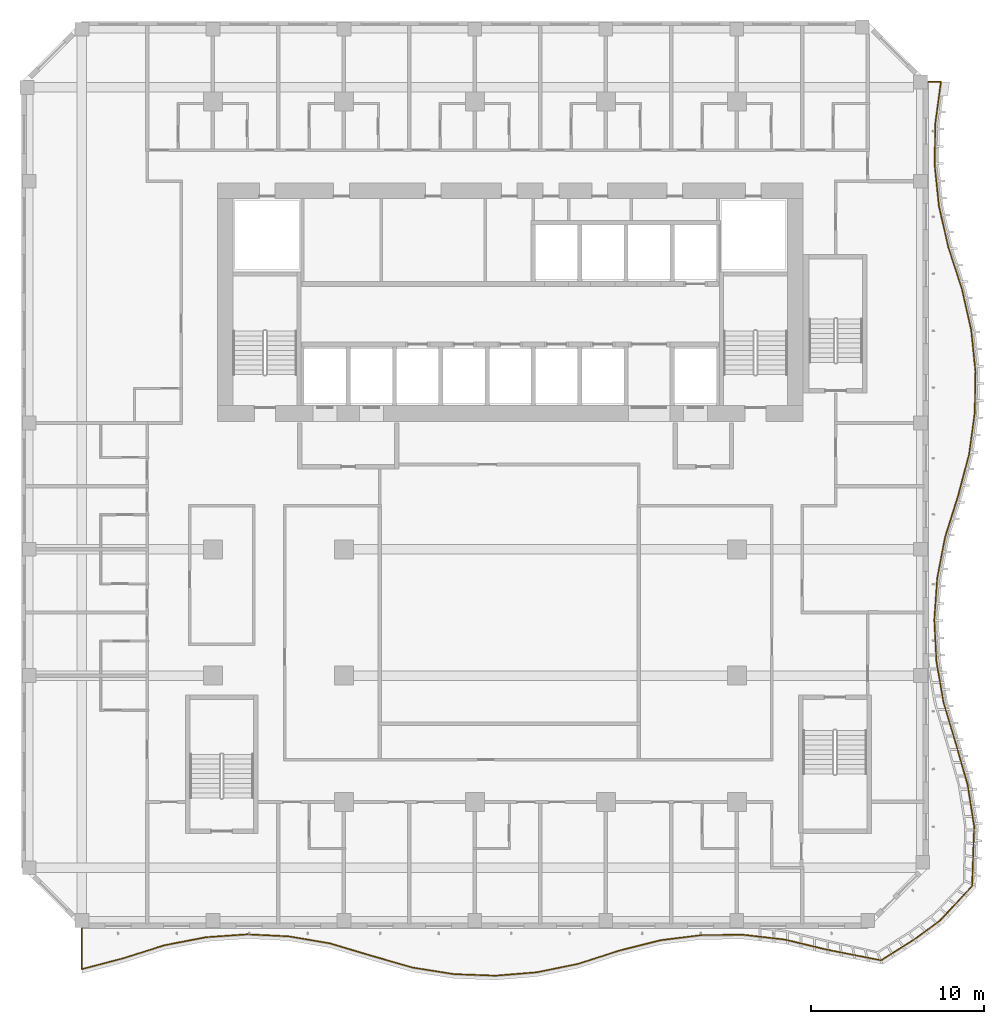
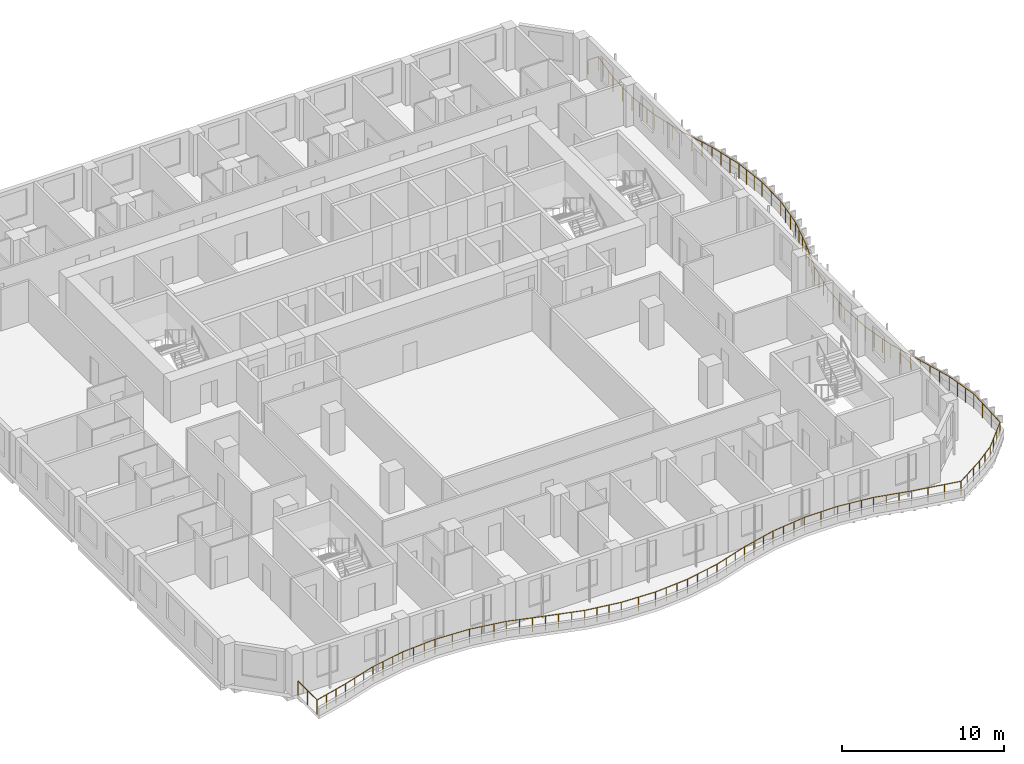
# One storey, part 17 of 23: 1 railing.
"""IFC4 building model written with IfcOpenShell, lengths in metres."""

from ifc_helpers import new_model, si_unit, direction, frame, origin, origin_2d, place, context, subcontext, project, spatial, circle, extrude, material, type_object, element, save


model = new_model("IFC4")

# Units and contexts
model_context = context("Model", 3, precision=1e-05, world=origin(), true_north=direction((0.0, 1.0)))
body_context = subcontext(model_context, "Body", "Model", "MODEL_VIEW")
ifc_project = project(units=[si_unit("LENGTHUNIT", "METRE"), si_unit("AREAUNIT", "SQUARE_METRE"), si_unit("VOLUMEUNIT", "CUBIC_METRE"), si_unit("PLANEANGLEUNIT", "RADIAN"), si_unit("MASSUNIT", "GRAM", prefix="KILO")], contexts=[model_context])

# Site, building, storey
site_placement = place(None, origin())
site = spatial("IfcSite", under=ifc_project, at=site_placement, CompositionType="ELEMENT")
building_placement = place(site_placement, origin())
building = spatial("IfcBuilding", under=site, at=building_placement, Name="Kilnfold Tower and Market Hall", CompositionType="ELEMENT")
storey_placement = place(building_placement, frame((0.0, 0.0, 150.699951171875)))
storey = spatial("IfcBuildingStorey", under=building, at=storey_placement, Name="L34", CompositionType="ELEMENT", Elevation=150.699951171875)

# Railing
ifc_material = material(Name="Stainless steel and laminated glass", Category="steel")
railing_type = type_object("IfcRailingType", Name="GUARD 1100", PredefinedType="GUARDRAIL", material=ifc_material)
railing_placement = place(storey_placement, frame((-23.75, -21.25, 0.0)))
element("IfcRailing", 1, at=railing_placement, inside=storey, type_object=railing_type, Name="Guard balcony L34", PredefinedType="GUARDRAIL", context=body_context, shape_type="SweptSolid", body=[
    extrude(circle(Radius=0.02490234375, at=origin_2d()), frame((0.0, 0.0, 1.0751953125), z_axis=(0.0, -1.0, 0.0), x_axis=(1.0, 0.0, 0.0)), (0.0, 0.0, 1.0), 2.3662109375),
    extrude(circle(Radius=0.02490234375, at=origin_2d()), frame((0.0, -2.3662109375, 1.0751953125), z_axis=(0.967203415233, 0.254003058175, 0.0), x_axis=(-0.254003058175, 0.967203415233, 0.0)), (0.0, 0.0, 1.0), 2.47607421875),
    extrude(circle(Radius=0.02490234375, at=origin_2d()), frame((2.394775390625, -1.7373046875, 1.0751953125), z_axis=(0.953459184431, 0.301522111337, 0.0), x_axis=(-0.301522111337, 0.953459184431, 0.0)), (0.0, 0.0, 1.0), 2.51171875),
    extrude(circle(Radius=0.02490234375, at=origin_2d()), frame((4.78955078125, -0.97998046875, 1.0751953125), z_axis=(0.981972153083, 0.189025634688, 0.0), x_axis=(-0.189025634688, 0.981972153083, 0.0)), (0.0, 0.0, 1.0), 2.4384765625),
    extrude(circle(Radius=0.02490234375, at=origin_2d()), frame((7.18408203125, -0.51904296875, 1.0751953125), z_axis=(0.997549252287, 0.069967773022, 0.0), x_axis=(-0.069967773022, 0.997549252287, 0.0)), (0.0, 0.0, 1.0), 2.400634765625),
    extrude(circle(Radius=0.02490234375, at=origin_2d()), frame((9.578857421875, -0.35107421875, 1.0751953125), z_axis=(0.998799869908, -0.048977748744, 0.0), x_axis=(0.048977748744, 0.998799869908, 0.0)), (0.0, 0.0, 1.0), 2.397705078125),
    extrude(circle(Radius=0.02490234375, at=origin_2d()), frame((11.9736328125, -0.468505859375, 1.0751953125), z_axis=(0.985814802092, -0.16783675395, 0.0), x_axis=(0.16783675395, 0.985814802092, 0.0)), (0.0, 0.0, 1.0), 2.42919921875),
    extrude(circle(Radius=0.02490234375, at=origin_2d()), frame((14.368408203125, -0.876220703125, 1.0751953125), z_axis=(0.958059841952, -0.286568210448, 0.0), x_axis=(0.286568210448, 0.958059841952, 0.0)), (0.0, 0.0, 1.0), 2.49951171875),
    extrude(circle(Radius=0.02490234375, at=origin_2d()), frame((16.76318359375, -1.592529296875, 1.0751953125), z_axis=(0.96143512859, -0.275031804549, 0.0), x_axis=(0.275031804549, 0.96143512859, 0.0)), (0.0, 0.0, 1.0), 2.49072265625),
    extrude(circle(Radius=0.02490234375, at=origin_2d()), frame((19.157958984375, -2.277587890625, 1.0751953125), z_axis=(0.987741725893, -0.156097030499, 0.0), x_axis=(0.156097030499, 0.987741725893, 0.0)), (0.0, 0.0, 1.0), 2.42431640625),
    extrude(circle(Radius=0.02490234375, at=origin_2d()), frame((21.552490234375, -2.656005859375, 1.0751953125), z_axis=(0.999308539954, -0.037181204596, 0.0), x_axis=(0.037181204596, 0.999308539954, 0.0)), (0.0, 0.0, 1.0), 2.396728515625),
    extrude(circle(Radius=0.02490234375, at=origin_2d()), frame((23.947509765625, -2.7451171875, 1.0751953125), z_axis=(0.996648699314, 0.08180079557, 0.0), x_axis=(-0.08180079557, 0.996648699314, 0.0)), (0.0, 0.0, 1.0), 2.402587890625),
    extrude(circle(Radius=0.02490234375, at=origin_2d()), frame((26.342041015625, -2.548583984375, 1.0751953125), z_axis=(0.979644014934, 0.200742631259, 0.0), x_axis=(-0.200742631259, 0.979644014934, 0.0)), (0.0, 0.0, 1.0), 2.444580078125),
    extrude(circle(Radius=0.02490234375, at=origin_2d()), frame((28.73681640625, -2.057861328125, 1.0751953125), z_axis=(0.951770785459, 0.306809993233, 0.0), x_axis=(-0.306809993233, 0.951770785459, 0.0)), (0.0, 0.0, 1.0), 2.51611328125),
    extrude(circle(Radius=0.02490234375, at=origin_2d()), frame((31.131591796875, -1.285888671875, 1.0751953125), z_axis=(0.970241332844, 0.242139951351, 0.0), x_axis=(-0.242139951351, 0.970241332844, 0.0)), (0.0, 0.0, 1.0), 2.46826171875),
    extrude(circle(Radius=0.02490234375, at=origin_2d()), frame((33.5263671875, -0.688232421875, 1.0751953125), z_axis=(0.992378716854, 0.123225331545, 0.0), x_axis=(-0.123225331545, 0.992378716854, 0.0)), (0.0, 0.0, 1.0), 2.4130859375),
    extrude(circle(Radius=0.02490234375, at=origin_2d()), frame((35.921142578125, -0.390869140625, 1.0751953125), z_axis=(0.999990833297, 0.004281742787, 0.0), x_axis=(-0.004281742787, 0.999990833297, 0.0)), (0.0, 0.0, 1.0), 2.394775390625),
    extrude(circle(Radius=0.02490234375, at=origin_2d()), frame((38.31591796875, -0.380615234375, 1.0751953125), z_axis=(0.993405386716, -0.114654863149, 0.0), x_axis=(0.114654863149, 0.993405386716, 0.0)), (0.0, 0.0, 1.0), 2.410400390625),
    extrude(circle(Radius=0.02490234375, at=origin_2d()), frame((40.71044921875, -0.656982421875, 1.0751953125), z_axis=(0.972345895901, -0.233545410413, 0.0), x_axis=(0.233545410413, 0.972345895901, 0.0)), (0.0, 0.0, 1.0), 2.462890625),
    extrude(circle(Radius=0.02490234375, at=origin_2d()), frame((43.105224609375, -1.232177734375, 1.0751953125), z_axis=(0.981029348573, -0.193859271736, 0.0), x_axis=(0.193859271736, 0.981029348573, 0.0)), (0.0, 0.0, 1.0), 3.225341796875),
    extrude(circle(Radius=0.02490234375, at=origin_2d()), frame((46.269287109375, -1.857421875, 1.0751953125), z_axis=(0.84387233422, 0.536544018267, 0.0), x_axis=(-0.536544018267, 0.84387233422, 0.0)), (0.0, 0.0, 1.0), 2.478515625),
    extrude(circle(Radius=0.02490234375, at=origin_2d()), frame((48.36083984375, -0.527587890625, 1.0751953125), z_axis=(0.802609689534, 0.596504556785, 0.0), x_axis=(-0.596504556785, 0.802609689534, 0.0)), (0.0, 0.0, 1.0), 1.667724609375),
    extrude(circle(Radius=0.02490234375, at=origin_2d()), frame((49.699462890625, 0.46728515625, 1.0751953125), z_axis=(0.679528734775, 0.733648893282, 0.0), x_axis=(-0.733648893282, 0.679528734775, 0.0)), (0.0, 0.0, 1.0), 2.7021484375),
    extrude(circle(Radius=0.02490234375, at=origin_2d()), frame((51.53564453125, 2.44970703125, 1.0751953125), z_axis=(0.035269659156, 0.999377832025, 0.0), x_axis=(-0.999377832025, 0.035269659156, 0.0)), (0.0, 0.0, 1.0), 3.447265625),
    extrude(circle(Radius=0.02490234375, at=origin_2d()), frame((51.6572265625, 5.894775390625, 1.0751953125), z_axis=(-0.155393678979, 0.987852622881, 0.0), x_axis=(-0.987852622881, -0.155393678979, 0.0)), (0.0, 0.0, 1.0), 2.42431640625),
    extrude(circle(Radius=0.02490234375, at=origin_2d()), frame((51.280517578125, 8.28955078125, 1.0751953125), z_axis=(-0.274423284976, 0.961608995727, 0.0), x_axis=(-0.961608995727, -0.274423284976, 0.0)), (0.0, 0.0, 1.0), 2.490234375),
    extrude(circle(Radius=0.02490234375, at=origin_2d()), frame((50.59716796875, 10.68408203125, 1.0751953125), z_axis=(-0.287105978462, 0.957898824058, 0.0), x_axis=(-0.957898824058, -0.287105978462, 0.0)), (0.0, 0.0, 1.0), 2.5),
    extrude(circle(Radius=0.02490234375, at=origin_2d()), frame((49.87939453125, 13.078857421875, 1.0751953125), z_axis=(-0.168520322845, 0.985698179357, 0.0), x_axis=(-0.985698179357, -0.168520322845, 0.0)), (0.0, 0.0, 1.0), 2.429443359375),
    extrude(circle(Radius=0.02490234375, at=origin_2d()), frame((49.469970703125, 15.4736328125, 1.0751953125), z_axis=(-0.049587204767, 0.998769797863, 0.0), x_axis=(-0.998769797863, -0.049587204767, 0.0)), (0.0, 0.0, 1.0), 2.397705078125),
    extrude(circle(Radius=0.02490234375, at=origin_2d()), frame((49.35107421875, 17.868408203125, 1.0751953125), z_axis=(0.069259323867, 0.997598689884, 0.0), x_axis=(-0.997598689884, 0.069259323867, 0.0)), (0.0, 0.0, 1.0), 2.400634765625),
    extrude(circle(Radius=0.02490234375, at=origin_2d()), frame((49.517333984375, 20.26318359375, 1.0751953125), z_axis=(0.188331184709, 0.98210557725, 0.0), x_axis=(-0.98210557725, 0.188331184709, 0.0)), (0.0, 0.0, 1.0), 2.4384765625),
    extrude(circle(Radius=0.02490234375, at=origin_2d()), frame((49.9765625, 22.657958984375, 1.0751953125), z_axis=(0.301196509019, 0.953562091819, 0.0), x_axis=(-0.953562091819, 0.301196509019, 0.0)), (0.0, 0.0, 1.0), 2.51123046875),
    extrude(circle(Radius=0.02490234375, at=origin_2d()), frame((50.73291015625, 25.052490234375, 1.0751953125), z_axis=(0.254624307267, 0.967040051988, 0.0), x_axis=(-0.967040051988, 0.254624307267, 0.0)), (0.0, 0.0, 1.0), 2.4765625),
    extrude(circle(Radius=0.02490234375, at=origin_2d()), frame((51.363525390625, 27.447509765625, 1.0751953125), z_axis=(0.135762285479, 0.990741440458, 0.0), x_axis=(-0.990741440458, 0.135762285479, 0.0)), (0.0, 0.0, 1.0), 2.4169921875),
    extrude(circle(Radius=0.02490234375, at=origin_2d()), frame((51.691650390625, 29.842041015625, 1.0751953125), z_axis=(0.016717003041, 0.999860261141, 0.0), x_axis=(-0.999860261141, 0.016717003041, 0.0)), (0.0, 0.0, 1.0), 2.39501953125),
    extrude(circle(Radius=0.02490234375, at=origin_2d()), frame((51.731689453125, 32.23681640625, 1.0751953125), z_axis=(-0.102224431847, 0.994761361098, 0.0), x_axis=(-0.994761361098, -0.102224431847, 0.0)), (0.0, 0.0, 1.0), 2.407470703125),
    extrude(circle(Radius=0.02490234375, at=origin_2d()), frame((51.485595703125, 34.631591796875, 1.0751953125), z_axis=(-0.221118291059, 0.975246995053, 0.0), x_axis=(-0.975246995053, -0.221118291059, 0.0)), (0.0, 0.0, 1.0), 2.45556640625),
    extrude(circle(Radius=0.02490234375, at=origin_2d()), frame((50.942626953125, 37.0263671875, 1.0751953125), z_axis=(-0.310231980147, 0.950660885118, 0.0), x_axis=(-0.950660885118, -0.310231980147, 0.0)), (0.0, 0.0, 1.0), 2.51904296875),
    extrude(circle(Radius=0.02490234375, at=origin_2d()), frame((50.1611328125, 39.421142578125, 1.0751953125), z_axis=(-0.221780075917, 0.975096712089, 0.0), x_axis=(-0.975096712089, -0.221780075917, 0.0)), (0.0, 0.0, 1.0), 2.4560546875),
    extrude(circle(Radius=0.02490234375, at=origin_2d()), frame((49.616455078125, 41.81591796875, 1.0751953125), z_axis=(-0.102836868896, 0.994698234841, 0.0), x_axis=(-0.994698234841, -0.102836868896, 0.0)), (0.0, 0.0, 1.0), 2.4072265625),
    extrude(circle(Radius=0.02490234375, at=origin_2d()), frame((49.368896484375, 44.21044921875, 1.0751953125), z_axis=(0.016105567022, 0.999870296944, 0.0), x_axis=(-0.999870296944, 0.016105567022, 0.0)), (0.0, 0.0, 1.0), 2.39501953125),
    extrude(circle(Radius=0.02490234375, at=origin_2d()), frame((49.407470703125, 46.605224609375, 1.0751953125), z_axis=(0.135054604566, 0.990838157211, 0.0), x_axis=(-0.990838157211, 0.135054604566, 0.0)), (0.0, 0.0, 1.0), 2.4169921875),
    extrude(circle(Radius=0.02490234375, at=origin_2d()), frame((49.73388671875, 49.0, 1.0751953125), z_axis=(-1.0, 0.0, 0.0), x_axis=(0.0, -1.0, 0.0)), (0.0, 0.0, 1.0), 0.73388671875),
    extrude(circle(Radius=0.02490234375, at=origin_2d()), origin(), (0.0, 0.0, 1.0), 1.050048828125),
    extrude(circle(Radius=0.02490234375, at=origin_2d()), frame((0.0, -1.18310546875, 0.0)), (0.0, 0.0, 1.0), 1.050048828125),
    extrude(circle(Radius=0.02490234375, at=origin_2d()), frame((0.0, -2.3662109375, 0.0)), (0.0, 0.0, 1.0), 1.050048828125),
    extrude(circle(Radius=0.02490234375, at=origin_2d()), frame((0.79833984375, -2.156494140625, 0.0)), (0.0, 0.0, 1.0), 1.050048828125),
    extrude(circle(Radius=0.02490234375, at=origin_2d()), frame((1.596435546875, -1.947021484375, 0.0)), (0.0, 0.0, 1.0), 1.050048828125),
    extrude(circle(Radius=0.02490234375, at=origin_2d()), frame((2.394775390625, -1.7373046875, 0.0)), (0.0, 0.0, 1.0), 1.050048828125),
    extrude(circle(Radius=0.02490234375, at=origin_2d()), frame((3.193115234375, -1.48486328125, 0.0)), (0.0, 0.0, 1.0), 1.050048828125),
    extrude(circle(Radius=0.02490234375, at=origin_2d()), frame((3.9912109375, -1.232421875, 0.0)), (0.0, 0.0, 1.0), 1.050048828125),
    extrude(circle(Radius=0.02490234375, at=origin_2d()), frame((4.78955078125, -0.97998046875, 0.0)), (0.0, 0.0, 1.0), 1.050048828125),
    extrude(circle(Radius=0.02490234375, at=origin_2d()), frame((5.587646484375, -0.826416015625, 0.0)), (0.0, 0.0, 1.0), 1.050048828125),
    extrude(circle(Radius=0.02490234375, at=origin_2d()), frame((6.385986328125, -0.672607421875, 0.0)), (0.0, 0.0, 1.0), 1.050048828125),
    extrude(circle(Radius=0.02490234375, at=origin_2d()), frame((7.18408203125, -0.51904296875, 0.0)), (0.0, 0.0, 1.0), 1.050048828125),
    extrude(circle(Radius=0.02490234375, at=origin_2d()), frame((7.982421875, -0.463134765625, 0.0)), (0.0, 0.0, 1.0), 1.050048828125),
    extrude(circle(Radius=0.02490234375, at=origin_2d()), frame((8.780517578125, -0.406982421875, 0.0)), (0.0, 0.0, 1.0), 1.050048828125),
    extrude(circle(Radius=0.02490234375, at=origin_2d()), frame((9.578857421875, -0.35107421875, 0.0)), (0.0, 0.0, 1.0), 1.050048828125),
    extrude(circle(Radius=0.02490234375, at=origin_2d()), frame((10.7763671875, -0.40966796875, 0.0)), (0.0, 0.0, 1.0), 1.050048828125),
    extrude(circle(Radius=0.02490234375, at=origin_2d()), frame((11.9736328125, -0.468505859375, 0.0)), (0.0, 0.0, 1.0), 1.050048828125),
    extrude(circle(Radius=0.02490234375, at=origin_2d()), frame((12.77197265625, -0.6044921875, 0.0)), (0.0, 0.0, 1.0), 1.050048828125),
    extrude(circle(Radius=0.02490234375, at=origin_2d()), frame((13.570068359375, -0.740234375, 0.0)), (0.0, 0.0, 1.0), 1.050048828125),
    extrude(circle(Radius=0.02490234375, at=origin_2d()), frame((14.368408203125, -0.876220703125, 0.0)), (0.0, 0.0, 1.0), 1.050048828125),
    extrude(circle(Radius=0.02490234375, at=origin_2d()), frame((15.166748046875, -1.114990234375, 0.0)), (0.0, 0.0, 1.0), 1.050048828125),
    extrude(circle(Radius=0.02490234375, at=origin_2d()), frame((15.96484375, -1.353759765625, 0.0)), (0.0, 0.0, 1.0), 1.050048828125),
    extrude(circle(Radius=0.02490234375, at=origin_2d()), frame((16.76318359375, -1.592529296875, 0.0)), (0.0, 0.0, 1.0), 1.050048828125),
    extrude(circle(Radius=0.02490234375, at=origin_2d()), frame((17.5615234375, -1.82080078125, 0.0)), (0.0, 0.0, 1.0), 1.050048828125),
    extrude(circle(Radius=0.02490234375, at=origin_2d()), frame((18.359619140625, -2.04931640625, 0.0)), (0.0, 0.0, 1.0), 1.050048828125),
    extrude(circle(Radius=0.02490234375, at=origin_2d()), frame((19.157958984375, -2.277587890625, 0.0)), (0.0, 0.0, 1.0), 1.050048828125),
    extrude(circle(Radius=0.02490234375, at=origin_2d()), frame((19.9560546875, -2.40380859375, 0.0)), (0.0, 0.0, 1.0), 1.050048828125),
    extrude(circle(Radius=0.02490234375, at=origin_2d()), frame((20.75439453125, -2.52978515625, 0.0)), (0.0, 0.0, 1.0), 1.050048828125),
    extrude(circle(Radius=0.02490234375, at=origin_2d()), frame((21.552490234375, -2.656005859375, 0.0)), (0.0, 0.0, 1.0), 1.050048828125),
    extrude(circle(Radius=0.02490234375, at=origin_2d()), frame((22.75, -2.70068359375, 0.0)), (0.0, 0.0, 1.0), 1.050048828125),
    extrude(circle(Radius=0.02490234375, at=origin_2d()), frame((23.947509765625, -2.7451171875, 0.0)), (0.0, 0.0, 1.0), 1.050048828125),
    extrude(circle(Radius=0.02490234375, at=origin_2d()), frame((24.74560546875, -2.6796875, 0.0)), (0.0, 0.0, 1.0), 1.050048828125),
    extrude(circle(Radius=0.02490234375, at=origin_2d()), frame((25.5439453125, -2.614013671875, 0.0)), (0.0, 0.0, 1.0), 1.050048828125),
    extrude(circle(Radius=0.02490234375, at=origin_2d()), frame((26.342041015625, -2.548583984375, 0.0)), (0.0, 0.0, 1.0), 1.050048828125),
    extrude(circle(Radius=0.02490234375, at=origin_2d()), frame((27.140380859375, -2.385009765625, 0.0)), (0.0, 0.0, 1.0), 1.050048828125),
    extrude(circle(Radius=0.02490234375, at=origin_2d()), frame((27.9384765625, -2.221435546875, 0.0)), (0.0, 0.0, 1.0), 1.050048828125),
    extrude(circle(Radius=0.02490234375, at=origin_2d()), frame((28.73681640625, -2.057861328125, 0.0)), (0.0, 0.0, 1.0), 1.050048828125),
    extrude(circle(Radius=0.02490234375, at=origin_2d()), frame((29.53515625, -1.800537109375, 0.0)), (0.0, 0.0, 1.0), 1.050048828125),
    extrude(circle(Radius=0.02490234375, at=origin_2d()), frame((30.333251953125, -1.543212890625, 0.0)), (0.0, 0.0, 1.0), 1.050048828125),
    extrude(circle(Radius=0.02490234375, at=origin_2d()), frame((31.131591796875, -1.285888671875, 0.0)), (0.0, 0.0, 1.0), 1.050048828125),
    extrude(circle(Radius=0.02490234375, at=origin_2d()), frame((31.929931640625, -1.086669921875, 0.0)), (0.0, 0.0, 1.0), 1.050048828125),
    extrude(circle(Radius=0.02490234375, at=origin_2d()), frame((32.72802734375, -0.887451171875, 0.0)), (0.0, 0.0, 1.0), 1.050048828125),
    extrude(circle(Radius=0.02490234375, at=origin_2d()), frame((33.5263671875, -0.688232421875, 0.0)), (0.0, 0.0, 1.0), 1.050048828125),
    extrude(circle(Radius=0.02490234375, at=origin_2d()), frame((34.32470703125, -0.589111328125, 0.0)), (0.0, 0.0, 1.0), 1.050048828125),
    extrude(circle(Radius=0.02490234375, at=origin_2d()), frame((35.122802734375, -0.489990234375, 0.0)), (0.0, 0.0, 1.0), 1.050048828125),
    extrude(circle(Radius=0.02490234375, at=origin_2d()), frame((35.921142578125, -0.390869140625, 0.0)), (0.0, 0.0, 1.0), 1.050048828125),
    extrude(circle(Radius=0.02490234375, at=origin_2d()), frame((37.11865234375, -0.3857421875, 0.0)), (0.0, 0.0, 1.0), 1.050048828125),
    extrude(circle(Radius=0.02490234375, at=origin_2d()), frame((38.31591796875, -0.380615234375, 0.0)), (0.0, 0.0, 1.0), 1.050048828125),
    extrude(circle(Radius=0.02490234375, at=origin_2d()), frame((39.114013671875, -0.47265625, 0.0)), (0.0, 0.0, 1.0), 1.050048828125),
    extrude(circle(Radius=0.02490234375, at=origin_2d()), frame((39.912353515625, -0.56494140625, 0.0)), (0.0, 0.0, 1.0), 1.050048828125),
    extrude(circle(Radius=0.02490234375, at=origin_2d()), frame((40.71044921875, -0.656982421875, 0.0)), (0.0, 0.0, 1.0), 1.050048828125),
    extrude(circle(Radius=0.02490234375, at=origin_2d()), frame((41.5087890625, -0.8486328125, 0.0)), (0.0, 0.0, 1.0), 1.050048828125),
    extrude(circle(Radius=0.02490234375, at=origin_2d()), frame((42.306884765625, -1.04052734375, 0.0)), (0.0, 0.0, 1.0), 1.050048828125),
    extrude(circle(Radius=0.02490234375, at=origin_2d()), frame((43.105224609375, -1.232177734375, 0.0)), (0.0, 0.0, 1.0), 1.050048828125),
    extrude(circle(Radius=0.02490234375, at=origin_2d()), frame((44.159912109375, -1.440673828125, 0.0)), (0.0, 0.0, 1.0), 1.050048828125),
    extrude(circle(Radius=0.02490234375, at=origin_2d()), frame((45.214599609375, -1.64892578125, 0.0)), (0.0, 0.0, 1.0), 1.050048828125),
    extrude(circle(Radius=0.02490234375, at=origin_2d()), frame((46.269287109375, -1.857421875, 0.0)), (0.0, 0.0, 1.0), 1.050048828125),
    extrude(circle(Radius=0.02490234375, at=origin_2d()), frame((46.966552734375, -1.4140625, 0.0)), (0.0, 0.0, 1.0), 1.050048828125),
    extrude(circle(Radius=0.02490234375, at=origin_2d()), frame((47.66357421875, -0.970947265625, 0.0)), (0.0, 0.0, 1.0), 1.050048828125),
    extrude(circle(Radius=0.02490234375, at=origin_2d()), frame((48.36083984375, -0.527587890625, 0.0)), (0.0, 0.0, 1.0), 1.050048828125),
    extrude(circle(Radius=0.02490234375, at=origin_2d()), frame((49.0302734375, -0.0302734375, 0.0)), (0.0, 0.0, 1.0), 1.050048828125),
    extrude(circle(Radius=0.02490234375, at=origin_2d()), frame((49.699462890625, 0.46728515625, 0.0)), (0.0, 0.0, 1.0), 1.050048828125),
    extrude(circle(Radius=0.02490234375, at=origin_2d()), frame((50.3115234375, 1.128173828125, 0.0)), (0.0, 0.0, 1.0), 1.050048828125),
    extrude(circle(Radius=0.02490234375, at=origin_2d()), frame((50.923583984375, 1.788818359375, 0.0)), (0.0, 0.0, 1.0), 1.050048828125),
    extrude(circle(Radius=0.02490234375, at=origin_2d()), frame((51.53564453125, 2.44970703125, 0.0)), (0.0, 0.0, 1.0), 1.050048828125),
    extrude(circle(Radius=0.02490234375, at=origin_2d()), frame((51.576171875, 3.59814453125, 0.0)), (0.0, 0.0, 1.0), 1.050048828125),
    extrude(circle(Radius=0.02490234375, at=origin_2d()), frame((51.61669921875, 4.746337890625, 0.0)), (0.0, 0.0, 1.0), 1.050048828125),
    extrude(circle(Radius=0.02490234375, at=origin_2d()), frame((51.6572265625, 5.894775390625, 0.0)), (0.0, 0.0, 1.0), 1.050048828125),
    extrude(circle(Radius=0.02490234375, at=origin_2d()), frame((51.53173828125, 6.693115234375, 0.0)), (0.0, 0.0, 1.0), 1.050048828125),
    extrude(circle(Radius=0.02490234375, at=origin_2d()), frame((51.406005859375, 7.4912109375, 0.0)), (0.0, 0.0, 1.0), 1.050048828125),
    extrude(circle(Radius=0.02490234375, at=origin_2d()), frame((51.280517578125, 8.28955078125, 0.0)), (0.0, 0.0, 1.0), 1.050048828125),
    extrude(circle(Radius=0.02490234375, at=origin_2d()), frame((51.052734375, 9.087646484375, 0.0)), (0.0, 0.0, 1.0), 1.050048828125),
    extrude(circle(Radius=0.02490234375, at=origin_2d()), frame((50.824951171875, 9.885986328125, 0.0)), (0.0, 0.0, 1.0), 1.050048828125),
    extrude(circle(Radius=0.02490234375, at=origin_2d()), frame((50.59716796875, 10.68408203125, 0.0)), (0.0, 0.0, 1.0), 1.050048828125),
    extrude(circle(Radius=0.02490234375, at=origin_2d()), frame((50.35791015625, 11.482421875, 0.0)), (0.0, 0.0, 1.0), 1.050048828125),
    extrude(circle(Radius=0.02490234375, at=origin_2d()), frame((50.11865234375, 12.280517578125, 0.0)), (0.0, 0.0, 1.0), 1.050048828125),
    extrude(circle(Radius=0.02490234375, at=origin_2d()), frame((49.87939453125, 13.078857421875, 0.0)), (0.0, 0.0, 1.0), 1.050048828125),
    extrude(circle(Radius=0.02490234375, at=origin_2d()), frame((49.742919921875, 13.877197265625, 0.0)), (0.0, 0.0, 1.0), 1.050048828125),
    extrude(circle(Radius=0.02490234375, at=origin_2d()), frame((49.6064453125, 14.67529296875, 0.0)), (0.0, 0.0, 1.0), 1.050048828125),
    extrude(circle(Radius=0.02490234375, at=origin_2d()), frame((49.469970703125, 15.4736328125, 0.0)), (0.0, 0.0, 1.0), 1.050048828125),
    extrude(circle(Radius=0.02490234375, at=origin_2d()), frame((49.41064453125, 16.6708984375, 0.0)), (0.0, 0.0, 1.0), 1.050048828125),
    extrude(circle(Radius=0.02490234375, at=origin_2d()), frame((49.35107421875, 17.868408203125, 0.0)), (0.0, 0.0, 1.0), 1.050048828125),
    extrude(circle(Radius=0.02490234375, at=origin_2d()), frame((49.406494140625, 18.666748046875, 0.0)), (0.0, 0.0, 1.0), 1.050048828125),
    extrude(circle(Radius=0.02490234375, at=origin_2d()), frame((49.4619140625, 19.46484375, 0.0)), (0.0, 0.0, 1.0), 1.050048828125),
    extrude(circle(Radius=0.02490234375, at=origin_2d()), frame((49.517333984375, 20.26318359375, 0.0)), (0.0, 0.0, 1.0), 1.050048828125),
    extrude(circle(Radius=0.02490234375, at=origin_2d()), frame((49.67041015625, 21.0615234375, 0.0)), (0.0, 0.0, 1.0), 1.050048828125),
    extrude(circle(Radius=0.02490234375, at=origin_2d()), frame((49.823486328125, 21.859619140625, 0.0)), (0.0, 0.0, 1.0), 1.050048828125),
    extrude(circle(Radius=0.02490234375, at=origin_2d()), frame((49.9765625, 22.657958984375, 0.0)), (0.0, 0.0, 1.0), 1.050048828125),
    extrude(circle(Radius=0.02490234375, at=origin_2d()), frame((50.228759765625, 23.4560546875, 0.0)), (0.0, 0.0, 1.0), 1.050048828125),
    extrude(circle(Radius=0.02490234375, at=origin_2d()), frame((50.480712890625, 24.25439453125, 0.0)), (0.0, 0.0, 1.0), 1.050048828125),
    extrude(circle(Radius=0.02490234375, at=origin_2d()), frame((50.73291015625, 25.052490234375, 0.0)), (0.0, 0.0, 1.0), 1.050048828125),
    extrude(circle(Radius=0.02490234375, at=origin_2d()), frame((50.943115234375, 25.850830078125, 0.0)), (0.0, 0.0, 1.0), 1.050048828125),
    extrude(circle(Radius=0.02490234375, at=origin_2d()), frame((51.1533203125, 26.649169921875, 0.0)), (0.0, 0.0, 1.0), 1.050048828125),
    extrude(circle(Radius=0.02490234375, at=origin_2d()), frame((51.363525390625, 27.447509765625, 0.0)), (0.0, 0.0, 1.0), 1.050048828125),
    extrude(circle(Radius=0.02490234375, at=origin_2d()), frame((51.472900390625, 28.24560546875, 0.0)), (0.0, 0.0, 1.0), 1.050048828125),
    extrude(circle(Radius=0.02490234375, at=origin_2d()), frame((51.582275390625, 29.0439453125, 0.0)), (0.0, 0.0, 1.0), 1.050048828125),
    extrude(circle(Radius=0.02490234375, at=origin_2d()), frame((51.691650390625, 29.842041015625, 0.0)), (0.0, 0.0, 1.0), 1.050048828125),
    extrude(circle(Radius=0.02490234375, at=origin_2d()), frame((51.711669921875, 31.03955078125, 0.0)), (0.0, 0.0, 1.0), 1.050048828125),
    extrude(circle(Radius=0.02490234375, at=origin_2d()), frame((51.731689453125, 32.23681640625, 0.0)), (0.0, 0.0, 1.0), 1.050048828125),
    extrude(circle(Radius=0.02490234375, at=origin_2d()), frame((51.649658203125, 33.03515625, 0.0)), (0.0, 0.0, 1.0), 1.050048828125),
    extrude(circle(Radius=0.02490234375, at=origin_2d()), frame((51.567626953125, 33.833251953125, 0.0)), (0.0, 0.0, 1.0), 1.050048828125),
    extrude(circle(Radius=0.02490234375, at=origin_2d()), frame((51.485595703125, 34.631591796875, 0.0)), (0.0, 0.0, 1.0), 1.050048828125),
    extrude(circle(Radius=0.02490234375, at=origin_2d()), frame((51.3046875, 35.429931640625, 0.0)), (0.0, 0.0, 1.0), 1.050048828125),
    extrude(circle(Radius=0.02490234375, at=origin_2d()), frame((51.12353515625, 36.22802734375, 0.0)), (0.0, 0.0, 1.0), 1.050048828125),
    extrude(circle(Radius=0.02490234375, at=origin_2d()), frame((50.942626953125, 37.0263671875, 0.0)), (0.0, 0.0, 1.0), 1.050048828125),
    extrude(circle(Radius=0.02490234375, at=origin_2d()), frame((50.68212890625, 37.82470703125, 0.0)), (0.0, 0.0, 1.0), 1.050048828125),
    extrude(circle(Radius=0.02490234375, at=origin_2d()), frame((50.421630859375, 38.622802734375, 0.0)), (0.0, 0.0, 1.0), 1.050048828125),
    extrude(circle(Radius=0.02490234375, at=origin_2d()), frame((50.1611328125, 39.421142578125, 0.0)), (0.0, 0.0, 1.0), 1.050048828125),
    extrude(circle(Radius=0.02490234375, at=origin_2d()), frame((49.9794921875, 40.219482421875, 0.0)), (0.0, 0.0, 1.0), 1.050048828125),
    extrude(circle(Radius=0.02490234375, at=origin_2d()), frame((49.798095703125, 41.017578125, 0.0)), (0.0, 0.0, 1.0), 1.050048828125),
    extrude(circle(Radius=0.02490234375, at=origin_2d()), frame((49.616455078125, 41.81591796875, 0.0)), (0.0, 0.0, 1.0), 1.050048828125),
    extrude(circle(Radius=0.02490234375, at=origin_2d()), frame((49.533935546875, 42.614013671875, 0.0)), (0.0, 0.0, 1.0), 1.050048828125),
    extrude(circle(Radius=0.02490234375, at=origin_2d()), frame((49.451416015625, 43.412353515625, 0.0)), (0.0, 0.0, 1.0), 1.050048828125),
    extrude(circle(Radius=0.02490234375, at=origin_2d()), frame((49.368896484375, 44.21044921875, 0.0)), (0.0, 0.0, 1.0), 1.050048828125),
    extrude(circle(Radius=0.02490234375, at=origin_2d()), frame((49.38818359375, 45.40771484375, 0.0)), (0.0, 0.0, 1.0), 1.050048828125),
    extrude(circle(Radius=0.02490234375, at=origin_2d()), frame((49.407470703125, 46.605224609375, 0.0)), (0.0, 0.0, 1.0), 1.050048828125),
    extrude(circle(Radius=0.02490234375, at=origin_2d()), frame((49.516357421875, 47.403564453125, 0.0)), (0.0, 0.0, 1.0), 1.050048828125),
    extrude(circle(Radius=0.02490234375, at=origin_2d()), frame((49.625, 48.20166015625, 0.0)), (0.0, 0.0, 1.0), 1.050048828125),
    extrude(circle(Radius=0.02490234375, at=origin_2d()), frame((49.73388671875, 49.0, 0.0)), (0.0, 0.0, 1.0), 1.050048828125),
    extrude(circle(Radius=0.02490234375, at=origin_2d()), frame((49.0, 49.0, 0.0)), (0.0, 0.0, 1.0), 1.050048828125),
])

save(model, "model.ifc")
